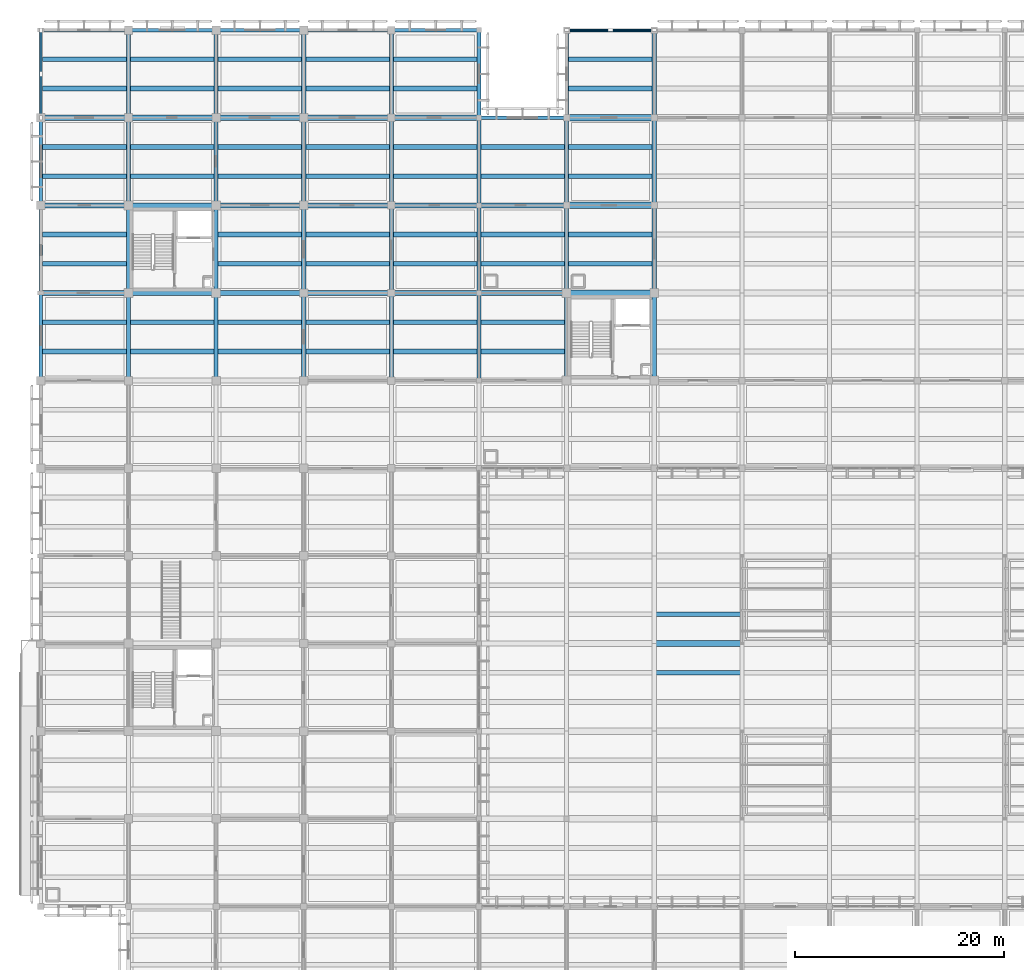
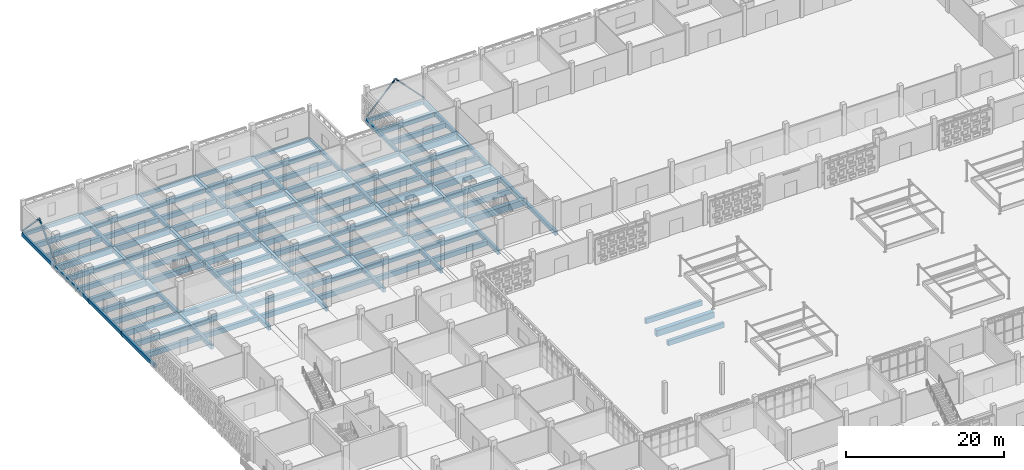
# One storey, part 23 of 129: 112 beams, 4 members.
"""IFC4 building model written with IfcOpenShell, lengths in metres."""

from ifc_helpers import new_model, si_unit, direction, frame, origin, origin_2d, place, context, subcontext, project, spatial, rectangle, hollow_rectangle, hollow_circle, extrude, material, material_profile, profile_set, type_object, element, save


model = new_model("IFC4")

# Units and contexts
model_context = context("Model", 3, precision=1e-05, world=origin(), true_north=direction((0.0, 1.0)))
body_context = subcontext(model_context, "Body", "Model", "MODEL_VIEW")
ifc_project = project(units=[si_unit("LENGTHUNIT", "METRE"), si_unit("AREAUNIT", "SQUARE_METRE"), si_unit("VOLUMEUNIT", "CUBIC_METRE"), si_unit("PLANEANGLEUNIT", "RADIAN"), si_unit("MASSUNIT", "GRAM", prefix="KILO")], contexts=[model_context])

# Site, building, storey
site_placement = place(None, origin())
site = spatial("IfcSite", under=ifc_project, at=site_placement, CompositionType="ELEMENT")
building_placement = place(site_placement, origin())
building = spatial("IfcBuilding", under=site, at=building_placement, Name="Varnapada Polytechnic", CompositionType="ELEMENT")
storey_placement = place(building_placement, origin())
storey = spatial("IfcBuildingStorey", under=building, at=storey_placement, Name="L00", CompositionType="ELEMENT", Elevation=0.0)

# Beams
ifc_material_1 = material(Name="Concrete C40/50", Category="concrete")
ifc_material_profile_1 = material_profile(ifc_material_1, rectangle(XDim=0.449951171875, YDim=0.75, at=origin_2d()), Name="RC 450x750")
ifc_profile_set_1 = profile_set([ifc_material_profile_1], Name="Concrete C40/50")
beam_type_1 = type_object("IfcBeamType", Name="Basement/podium secondary beam BB-01 (RC 450x750)", PredefinedType="BEAM", material=ifc_profile_set_1)
for number, where, z_axis, x_axis, name in (
    (1, (0.080078125, 95.199951171875, -0.675048828125), (1.0, 0.0, 0.0), (0.0, 1.0, 0.0), "L00 floor joist 1/12.1"),
    (2, (0.080078125, 98.0, -0.675048828125), (1.0, 0.0, 0.0), (0.0, 1.0, 0.0), "L00 floor joist 1/12.2"),
    (3, (0.080078125, 103.60009765625, -0.675048828125), (1.0, 0.0, 0.0), (0.0, 1.0, 0.0), "L00 floor joist 1/13.1"),
    (4, (0.080078125, 106.39990234375, -0.675048828125), (1.0, 0.0, 0.0), (0.0, 1.0, 0.0), "L00 floor joist 1/13.2"),
    (5, (0.080078125, 112.0, -0.675048828125), (1.0, 0.0, 0.0), (0.0, 1.0, 0.0), "L00 floor joist 1/14.1"),
    (6, (0.080078125, 114.800048828125, -0.675048828125), (1.0, 0.0, 0.0), (0.0, 1.0, 0.0), "L00 floor joist 1/14.2"),
    (7, (0.080078125, 120.39990234375, -0.675048828125), (1.0, 0.0, 0.0), (0.0, 1.0, 0.0), "L00 floor joist 1/15.1"),
    (8, (0.080078125, 123.199951171875, -0.675048828125), (1.0, 0.0, 0.0), (0.0, 1.0, 0.0), "L00 floor joist 1/15.2"),
    (9, (8.47998046875, 95.199951171875, -0.675048828125), (1.0, 0.0, 0.0), (0.0, 1.0, 0.0), "L00 floor joist 2/12.1"),
    (10, (8.47998046875, 98.0, -0.675048828125), (1.0, 0.0, 0.0), (0.0, 1.0, 0.0), "L00 floor joist 2/12.2"),
    (11, (8.47998046875, 112.0, -0.675048828125), (1.0, 0.0, 0.0), (0.0, 1.0, 0.0), "L00 floor joist 2/14.1"),
    (12, (8.47998046875, 114.800048828125, -0.675048828125), (1.0, 0.0, 0.0), (0.0, 1.0, 0.0), "L00 floor joist 2/14.2"),
    (13, (8.47998046875, 120.39990234375, -0.675048828125), (1.0, 0.0, 0.0), (0.0, 1.0, 0.0), "L00 floor joist 2/15.1"),
    (14, (8.47998046875, 123.199951171875, -0.675048828125), (1.0, 0.0, 0.0), (0.0, 1.0, 0.0), "L00 floor joist 2/15.2"),
):
    element("IfcBeam", number, at=place(storey_placement, frame(where, z_axis=z_axis, x_axis=x_axis)), inside=storey, type_object=beam_type_1, Name=name, PredefinedType="BEAM", context=body_context, shape_type="SweptSolid", body=[
        extrude(rectangle(XDim=0.449951171875, YDim=0.75, at=origin_2d()), origin(), (0.0, 0.0, 1.0), 8.239990234375),
    ])
for number, where, z_axis, x_axis, name in (
    (15, (16.8798828125, 95.199951171875, -0.675048828125), (1.0, 0.0, 0.0), (0.0, 1.0, 0.0), "L00 floor joist 3/12.1"),
    (16, (16.8798828125, 98.0, -0.675048828125), (1.0, 0.0, 0.0), (0.0, 1.0, 0.0), "L00 floor joist 3/12.2"),
    (17, (16.8798828125, 103.60009765625, -0.675048828125), (1.0, 0.0, 0.0), (0.0, 1.0, 0.0), "L00 floor joist 3/13.1"),
    (18, (16.8798828125, 106.39990234375, -0.675048828125), (1.0, 0.0, 0.0), (0.0, 1.0, 0.0), "L00 floor joist 3/13.2"),
    (19, (16.8798828125, 112.0, -0.675048828125), (1.0, 0.0, 0.0), (0.0, 1.0, 0.0), "L00 floor joist 3/14.1"),
    (20, (16.8798828125, 114.800048828125, -0.675048828125), (1.0, 0.0, 0.0), (0.0, 1.0, 0.0), "L00 floor joist 3/14.2"),
    (21, (16.8798828125, 120.39990234375, -0.675048828125), (1.0, 0.0, 0.0), (0.0, 1.0, 0.0), "L00 floor joist 3/15.1"),
    (22, (16.8798828125, 123.199951171875, -0.675048828125), (1.0, 0.0, 0.0), (0.0, 1.0, 0.0), "L00 floor joist 3/15.2"),
):
    element("IfcBeam", number, at=place(storey_placement, frame(where, z_axis=z_axis, x_axis=x_axis)), inside=storey, type_object=beam_type_1, Name=name, PredefinedType="BEAM", context=body_context, shape_type="SweptSolid", body=[
        extrude(rectangle(XDim=0.449951171875, YDim=0.75, at=origin_2d()), origin(), (0.0, 0.0, 1.0), 8.240234375),
    ])
for number, where, z_axis, x_axis, name in (
    (23, (25.280029296875, 95.199951171875, -0.675048828125), (1.0, 0.0, 0.0), (0.0, 1.0, 0.0), "L00 floor joist 4/12.1"),
    (24, (25.280029296875, 98.0, -0.675048828125), (1.0, 0.0, 0.0), (0.0, 1.0, 0.0), "L00 floor joist 4/12.2"),
    (25, (25.280029296875, 103.60009765625, -0.675048828125), (1.0, 0.0, 0.0), (0.0, 1.0, 0.0), "L00 floor joist 4/13.1"),
    (26, (25.280029296875, 106.39990234375, -0.675048828125), (1.0, 0.0, 0.0), (0.0, 1.0, 0.0), "L00 floor joist 4/13.2"),
    (27, (25.280029296875, 112.0, -0.675048828125), (1.0, 0.0, 0.0), (0.0, 1.0, 0.0), "L00 floor joist 4/14.1"),
    (28, (25.280029296875, 114.800048828125, -0.675048828125), (1.0, 0.0, 0.0), (0.0, 1.0, 0.0), "L00 floor joist 4/14.2"),
    (29, (25.280029296875, 120.39990234375, -0.675048828125), (1.0, 0.0, 0.0), (0.0, 1.0, 0.0), "L00 floor joist 4/15.1"),
    (30, (25.280029296875, 123.199951171875, -0.675048828125), (1.0, 0.0, 0.0), (0.0, 1.0, 0.0), "L00 floor joist 4/15.2"),
    (31, (33.679931640625, 95.199951171875, -0.675048828125), (1.0, 0.0, 0.0), (0.0, 1.0, 0.0), "L00 floor joist 5/12.1"),
    (32, (33.679931640625, 98.0, -0.675048828125), (1.0, 0.0, 0.0), (0.0, 1.0, 0.0), "L00 floor joist 5/12.2"),
    (33, (33.679931640625, 103.60009765625, -0.675048828125), (1.0, 0.0, 0.0), (0.0, 1.0, 0.0), "L00 floor joist 5/13.1"),
    (34, (33.679931640625, 106.39990234375, -0.675048828125), (1.0, 0.0, 0.0), (0.0, 1.0, 0.0), "L00 floor joist 5/13.2"),
    (35, (33.679931640625, 112.0, -0.675048828125), (1.0, 0.0, 0.0), (0.0, 1.0, 0.0), "L00 floor joist 5/14.1"),
    (36, (33.679931640625, 114.800048828125, -0.675048828125), (1.0, 0.0, 0.0), (0.0, 1.0, 0.0), "L00 floor joist 5/14.2"),
    (37, (33.679931640625, 120.39990234375, -0.675048828125), (1.0, 0.0, 0.0), (0.0, 1.0, 0.0), "L00 floor joist 5/15.1"),
    (38, (33.679931640625, 123.199951171875, -0.675048828125), (1.0, 0.0, 0.0), (0.0, 1.0, 0.0), "L00 floor joist 5/15.2"),
    (39, (42.080078125, 95.199951171875, -0.695068359375), (1.0, 0.0, 0.0), (0.0, 1.0, 0.0), "L00 floor joist 6/12.1"),
    (40, (42.080078125, 98.0, -0.695068359375), (1.0, 0.0, 0.0), (0.0, 1.0, 0.0), "L00 floor joist 6/12.2"),
    (41, (42.080078125, 103.60009765625, -0.695068359375), (1.0, 0.0, 0.0), (0.0, 1.0, 0.0), "L00 floor joist 6/13.1"),
    (42, (42.080078125, 106.39990234375, -0.695068359375), (1.0, 0.0, 0.0), (0.0, 1.0, 0.0), "L00 floor joist 6/13.2"),
    (43, (42.080078125, 112.0, -0.695068359375), (1.0, 0.0, 0.0), (0.0, 1.0, 0.0), "L00 floor joist 6/14.1"),
    (44, (42.080078125, 114.800048828125, -0.695068359375), (1.0, 0.0, 0.0), (0.0, 1.0, 0.0), "L00 floor joist 6/14.2"),
    (45, (50.47998046875, 103.60009765625, -0.695068359375), (1.0, 0.0, 0.0), (0.0, 1.0, 0.0), "L00 floor joist 7/13.1"),
    (46, (50.47998046875, 106.39990234375, -0.695068359375), (1.0, 0.0, 0.0), (0.0, 1.0, 0.0), "L00 floor joist 7/13.2"),
    (47, (50.47998046875, 112.0, -0.695068359375), (1.0, 0.0, 0.0), (0.0, 1.0, 0.0), "L00 floor joist 7/14.1"),
    (48, (50.47998046875, 114.800048828125, -0.695068359375), (1.0, 0.0, 0.0), (0.0, 1.0, 0.0), "L00 floor joist 7/14.2"),
    (49, (50.47998046875, 120.39990234375, -0.695068359375), (1.0, 0.0, 0.0), (0.0, 1.0, 0.0), "L00 floor joist 7/15.1"),
    (50, (50.47998046875, 123.199951171875, -0.695068359375), (1.0, 0.0, 0.0), (0.0, 1.0, 0.0), "L00 floor joist 7/15.2"),
):
    element("IfcBeam", number, at=place(storey_placement, frame(where, z_axis=z_axis, x_axis=x_axis)), inside=storey, type_object=beam_type_1, Name=name, PredefinedType="BEAM", context=body_context, shape_type="SweptSolid", body=[
        extrude(rectangle(XDim=0.449951171875, YDim=0.75, at=origin_2d()), origin(), (0.0, 0.0, 1.0), 8.239990234375),
    ])
for number, where, z_axis, x_axis, name in (
    (51, (58.8798828125, 64.39990234375, -0.655029296875), (1.0, 0.0, 0.0), (0.0, 1.0, 0.0), "L00 floor joist 8/8.2"),
    (52, (58.8798828125, 70.0, -0.655029296875), (1.0, 0.0, 0.0), (0.0, 1.0, 0.0), "L00 floor joist 8/9.1"),
):
    element("IfcBeam", number, at=place(storey_placement, frame(where, z_axis=z_axis, x_axis=x_axis)), inside=storey, type_object=beam_type_1, Name=name, PredefinedType="BEAM", context=body_context, shape_type="SweptSolid", body=[
        extrude(rectangle(XDim=0.449951171875, YDim=0.75, at=origin_2d()), origin(), (0.0, 0.0, 1.0), 8.240234375),
    ])
ifc_material_profile_2 = material_profile(ifc_material_1, rectangle(XDim=0.35009765625, YDim=0.550048828125, at=origin_2d()), Name="RC 350x550")
ifc_profile_set_2 = profile_set([ifc_material_profile_2], Name="Concrete C40/50")
beam_type_2 = type_object("IfcBeamType", Name="Concrete podium spandrel beam SP-01 (RC 350x550)", PredefinedType="SPANDREL", material=ifc_profile_set_2)
beam_1_placement = place(storey_placement, frame((0.0, 126.0, -0.574951171875), z_axis=(1.0, 0.0, 0.0), x_axis=(0.0, 1.0, 0.0)))
element("IfcBeam", 53, at=beam_1_placement, inside=storey, type_object=beam_type_2, Name="L00 beam X 1-2 at Y16", PredefinedType="SPANDREL", context=body_context, shape_type="SweptSolid", body=[
    extrude(rectangle(XDim=0.35009765625, YDim=0.550048828125, at=origin_2d()), origin(), (0.0, 0.0, 1.0), 8.39990234375),
])
beam_2_placement = place(storey_placement, frame((8.39990234375, 126.0, -0.574951171875), z_axis=(1.0, 0.0, 0.0), x_axis=(0.0, 1.0, 0.0)))
element("IfcBeam", 54, at=beam_2_placement, inside=storey, type_object=beam_type_2, Name="L00 beam X 2-3 at Y16", PredefinedType="SPANDREL", context=body_context, shape_type="SweptSolid", body=[
    extrude(rectangle(XDim=0.35009765625, YDim=0.550048828125, at=origin_2d()), origin(), (0.0, 0.0, 1.0), 8.400146484375),
])
beam_3_placement = place(storey_placement, frame((16.800048828125, 126.0, -0.574951171875), z_axis=(1.0, 0.0, 0.0), x_axis=(0.0, 1.0, 0.0)))
element("IfcBeam", 55, at=beam_3_placement, inside=storey, type_object=beam_type_2, Name="L00 beam X 3-4 at Y16", PredefinedType="SPANDREL", context=body_context, shape_type="SweptSolid", body=[
    extrude(rectangle(XDim=0.35009765625, YDim=0.550048828125, at=origin_2d()), origin(), (0.0, 0.0, 1.0), 8.39990234375),
])
beam_4_placement = place(storey_placement, frame((25.199951171875, 126.0, -0.574951171875), z_axis=(1.0, 0.0, 0.0), x_axis=(0.0, 1.0, 0.0)))
element("IfcBeam", 56, at=beam_4_placement, inside=storey, type_object=beam_type_2, Name="L00 beam X 4-5 at Y16", PredefinedType="SPANDREL", context=body_context, shape_type="SweptSolid", body=[
    extrude(rectangle(XDim=0.35009765625, YDim=0.550048828125, at=origin_2d()), origin(), (0.0, 0.0, 1.0), 8.400146484375),
])
for number, where, z_axis, x_axis, name in (
    (57, (33.60009765625, 126.0, -0.574951171875), (1.0, 0.0, 0.0), (0.0, 1.0, 0.0), "L00 beam X 5-6 at Y16"),
    (58, (42.0, 117.60009765625, -0.594970703125), (1.0, 0.0, 0.0), (0.0, 1.0, 0.0), "L00 beam X 6-7 at Y15"),
):
    element("IfcBeam", number, at=place(storey_placement, frame(where, z_axis=z_axis, x_axis=x_axis)), inside=storey, type_object=beam_type_2, Name=name, PredefinedType="SPANDREL", context=body_context, shape_type="SweptSolid", body=[
        extrude(rectangle(XDim=0.35009765625, YDim=0.550048828125, at=origin_2d()), origin(), (0.0, 0.0, 1.0), 8.39990234375),
    ])
for number, where, z_axis, x_axis, name in (
    (59, (50.39990234375, 126.0, -0.594970703125), (1.0, 0.0, 0.0), (0.0, 1.0, 0.0), "L00 beam X 7-8 at Y16"),
    (60, (0.0, 92.39990234375, -0.574951171875), (0.0, 1.0, 0.0), (-1.0, 0.0, 0.0), "L00 beam Y 12-13 at X1"),
):
    element("IfcBeam", number, at=place(storey_placement, frame(where, z_axis=z_axis, x_axis=x_axis)), inside=storey, type_object=beam_type_2, Name=name, PredefinedType="SPANDREL", context=body_context, shape_type="SweptSolid", body=[
        extrude(rectangle(XDim=0.35009765625, YDim=0.550048828125, at=origin_2d()), origin(), (0.0, 0.0, 1.0), 8.400146484375),
    ])
beam_5_placement = place(storey_placement, frame((0.0, 100.800048828125, -0.574951171875), z_axis=(0.0, 1.0, 0.0), x_axis=(-1.0, 0.0, 0.0)))
element("IfcBeam", 61, at=beam_5_placement, inside=storey, type_object=beam_type_2, Name="L00 beam Y 13-14 at X1", PredefinedType="SPANDREL", context=body_context, shape_type="SweptSolid", body=[
    extrude(rectangle(XDim=0.35009765625, YDim=0.550048828125, at=origin_2d()), origin(), (0.0, 0.0, 1.0), 8.39990234375),
])
beam_6_placement = place(storey_placement, frame((0.0, 109.199951171875, -0.574951171875), z_axis=(0.0, 1.0, 0.0), x_axis=(-1.0, 0.0, 0.0)))
element("IfcBeam", 62, at=beam_6_placement, inside=storey, type_object=beam_type_2, Name="L00 beam Y 14-15 at X1", PredefinedType="SPANDREL", context=body_context, shape_type="SweptSolid", body=[
    extrude(rectangle(XDim=0.35009765625, YDim=0.550048828125, at=origin_2d()), origin(), (0.0, 0.0, 1.0), 8.400146484375),
])
for number, where, z_axis, x_axis, name in (
    (63, (0.0, 117.60009765625, -0.574951171875), (0.0, 1.0, 0.0), (-1.0, 0.0, 0.0), "L00 beam Y 15-16 at X1"),
    (64, (42.0, 117.60009765625, -0.574951171875), (0.0, 1.0, 0.0), (-1.0, 0.0, 0.0), "L00 beam Y 15-16 at X6"),
    (65, (50.39990234375, 117.60009765625, -0.594970703125), (0.0, 1.0, 0.0), (-1.0, 0.0, 0.0), "L00 beam Y 15-16 at X7"),
):
    element("IfcBeam", number, at=place(storey_placement, frame(where, z_axis=z_axis, x_axis=x_axis)), inside=storey, type_object=beam_type_2, Name=name, PredefinedType="SPANDREL", context=body_context, shape_type="SweptSolid", body=[
        extrude(rectangle(XDim=0.35009765625, YDim=0.550048828125, at=origin_2d()), origin(), (0.0, 0.0, 1.0), 8.39990234375),
    ])
ifc_material_profile_3 = material_profile(ifc_material_1, rectangle(XDim=0.39990234375, YDim=0.64990234375, at=origin_2d()), Name="RC 400x650")
ifc_profile_set_3 = profile_set([ifc_material_profile_3], Name="Concrete C40/50")
beam_type_3 = type_object("IfcBeamType", Name="Podium framing beam BB-02 (RC 400x650)", PredefinedType="BEAM", material=ifc_profile_set_3)
beam_7_placement = place(storey_placement, frame((8.39990234375, 92.39990234375, -0.625), z_axis=(0.0, 1.0, 0.0), x_axis=(-1.0, 0.0, 0.0)))
element("IfcBeam", 66, at=beam_7_placement, inside=storey, type_object=beam_type_3, Name="L00 beam Y 12-13 at X2", PredefinedType="BEAM", context=body_context, shape_type="SweptSolid", body=[
    extrude(rectangle(XDim=0.39990234375, YDim=0.64990234375, at=origin_2d()), origin(), (0.0, 0.0, 1.0), 8.400146484375),
])
beam_8_placement = place(storey_placement, frame((8.39990234375, 100.800048828125, -0.625), z_axis=(0.0, 1.0, 0.0), x_axis=(-1.0, 0.0, 0.0)))
element("IfcBeam", 67, at=beam_8_placement, inside=storey, type_object=beam_type_3, Name="L00 beam Y 13-14 at X2", PredefinedType="BEAM", context=body_context, shape_type="SweptSolid", body=[
    extrude(rectangle(XDim=0.39990234375, YDim=0.64990234375, at=origin_2d()), origin(), (0.0, 0.0, 1.0), 8.39990234375),
])
beam_9_placement = place(storey_placement, frame((8.39990234375, 109.199951171875, -0.625), z_axis=(0.0, 1.0, 0.0), x_axis=(-1.0, 0.0, 0.0)))
element("IfcBeam", 68, at=beam_9_placement, inside=storey, type_object=beam_type_3, Name="L00 beam Y 14-15 at X2", PredefinedType="BEAM", context=body_context, shape_type="SweptSolid", body=[
    extrude(rectangle(XDim=0.39990234375, YDim=0.64990234375, at=origin_2d()), origin(), (0.0, 0.0, 1.0), 8.400146484375),
])
beam_10_placement = place(storey_placement, frame((8.39990234375, 117.60009765625, -0.625), z_axis=(0.0, 1.0, 0.0), x_axis=(-1.0, 0.0, 0.0)))
element("IfcBeam", 69, at=beam_10_placement, inside=storey, type_object=beam_type_3, Name="L00 beam Y 15-16 at X2", PredefinedType="BEAM", context=body_context, shape_type="SweptSolid", body=[
    extrude(rectangle(XDim=0.39990234375, YDim=0.64990234375, at=origin_2d()), origin(), (0.0, 0.0, 1.0), 8.39990234375),
])
beam_11_placement = place(storey_placement, frame((16.800048828125, 92.39990234375, -0.625), z_axis=(0.0, 1.0, 0.0), x_axis=(-1.0, 0.0, 0.0)))
element("IfcBeam", 70, at=beam_11_placement, inside=storey, type_object=beam_type_3, Name="L00 beam Y 12-13 at X3", PredefinedType="BEAM", context=body_context, shape_type="SweptSolid", body=[
    extrude(rectangle(XDim=0.39990234375, YDim=0.64990234375, at=origin_2d()), origin(), (0.0, 0.0, 1.0), 8.400146484375),
])
beam_12_placement = place(storey_placement, frame((16.800048828125, 100.800048828125, -0.625), z_axis=(0.0, 1.0, 0.0), x_axis=(-1.0, 0.0, 0.0)))
element("IfcBeam", 71, at=beam_12_placement, inside=storey, type_object=beam_type_3, Name="L00 beam Y 13-14 at X3", PredefinedType="BEAM", context=body_context, shape_type="SweptSolid", body=[
    extrude(rectangle(XDim=0.39990234375, YDim=0.64990234375, at=origin_2d()), origin(), (0.0, 0.0, 1.0), 8.39990234375),
])
beam_13_placement = place(storey_placement, frame((16.800048828125, 109.199951171875, -0.625), z_axis=(0.0, 1.0, 0.0), x_axis=(-1.0, 0.0, 0.0)))
element("IfcBeam", 72, at=beam_13_placement, inside=storey, type_object=beam_type_3, Name="L00 beam Y 14-15 at X3", PredefinedType="BEAM", context=body_context, shape_type="SweptSolid", body=[
    extrude(rectangle(XDim=0.39990234375, YDim=0.64990234375, at=origin_2d()), origin(), (0.0, 0.0, 1.0), 8.400146484375),
])
beam_14_placement = place(storey_placement, frame((16.800048828125, 117.60009765625, -0.625), z_axis=(0.0, 1.0, 0.0), x_axis=(-1.0, 0.0, 0.0)))
element("IfcBeam", 73, at=beam_14_placement, inside=storey, type_object=beam_type_3, Name="L00 beam Y 15-16 at X3", PredefinedType="BEAM", context=body_context, shape_type="SweptSolid", body=[
    extrude(rectangle(XDim=0.39990234375, YDim=0.64990234375, at=origin_2d()), origin(), (0.0, 0.0, 1.0), 8.39990234375),
])
beam_15_placement = place(storey_placement, frame((25.199951171875, 92.39990234375, -0.625), z_axis=(0.0, 1.0, 0.0), x_axis=(-1.0, 0.0, 0.0)))
element("IfcBeam", 74, at=beam_15_placement, inside=storey, type_object=beam_type_3, Name="L00 beam Y 12-13 at X4", PredefinedType="BEAM", context=body_context, shape_type="SweptSolid", body=[
    extrude(rectangle(XDim=0.39990234375, YDim=0.64990234375, at=origin_2d()), origin(), (0.0, 0.0, 1.0), 8.400146484375),
])
beam_16_placement = place(storey_placement, frame((25.199951171875, 100.800048828125, -0.625), z_axis=(0.0, 1.0, 0.0), x_axis=(-1.0, 0.0, 0.0)))
element("IfcBeam", 75, at=beam_16_placement, inside=storey, type_object=beam_type_3, Name="L00 beam Y 13-14 at X4", PredefinedType="BEAM", context=body_context, shape_type="SweptSolid", body=[
    extrude(rectangle(XDim=0.39990234375, YDim=0.64990234375, at=origin_2d()), origin(), (0.0, 0.0, 1.0), 8.39990234375),
])
beam_17_placement = place(storey_placement, frame((25.199951171875, 109.199951171875, -0.625), z_axis=(0.0, 1.0, 0.0), x_axis=(-1.0, 0.0, 0.0)))
element("IfcBeam", 76, at=beam_17_placement, inside=storey, type_object=beam_type_3, Name="L00 beam Y 14-15 at X4", PredefinedType="BEAM", context=body_context, shape_type="SweptSolid", body=[
    extrude(rectangle(XDim=0.39990234375, YDim=0.64990234375, at=origin_2d()), origin(), (0.0, 0.0, 1.0), 8.400146484375),
])
beam_18_placement = place(storey_placement, frame((25.199951171875, 117.60009765625, -0.625), z_axis=(0.0, 1.0, 0.0), x_axis=(-1.0, 0.0, 0.0)))
element("IfcBeam", 77, at=beam_18_placement, inside=storey, type_object=beam_type_3, Name="L00 beam Y 15-16 at X4", PredefinedType="BEAM", context=body_context, shape_type="SweptSolid", body=[
    extrude(rectangle(XDim=0.39990234375, YDim=0.64990234375, at=origin_2d()), origin(), (0.0, 0.0, 1.0), 8.39990234375),
])
beam_19_placement = place(storey_placement, frame((33.60009765625, 92.39990234375, -0.625), z_axis=(0.0, 1.0, 0.0), x_axis=(-1.0, 0.0, 0.0)))
element("IfcBeam", 78, at=beam_19_placement, inside=storey, type_object=beam_type_3, Name="L00 beam Y 12-13 at X5", PredefinedType="BEAM", context=body_context, shape_type="SweptSolid", body=[
    extrude(rectangle(XDim=0.39990234375, YDim=0.64990234375, at=origin_2d()), origin(), (0.0, 0.0, 1.0), 8.400146484375),
])
beam_20_placement = place(storey_placement, frame((33.60009765625, 100.800048828125, -0.625), z_axis=(0.0, 1.0, 0.0), x_axis=(-1.0, 0.0, 0.0)))
element("IfcBeam", 79, at=beam_20_placement, inside=storey, type_object=beam_type_3, Name="L00 beam Y 13-14 at X5", PredefinedType="BEAM", context=body_context, shape_type="SweptSolid", body=[
    extrude(rectangle(XDim=0.39990234375, YDim=0.64990234375, at=origin_2d()), origin(), (0.0, 0.0, 1.0), 8.39990234375),
])
beam_21_placement = place(storey_placement, frame((33.60009765625, 109.199951171875, -0.625), z_axis=(0.0, 1.0, 0.0), x_axis=(-1.0, 0.0, 0.0)))
element("IfcBeam", 80, at=beam_21_placement, inside=storey, type_object=beam_type_3, Name="L00 beam Y 14-15 at X5", PredefinedType="BEAM", context=body_context, shape_type="SweptSolid", body=[
    extrude(rectangle(XDim=0.39990234375, YDim=0.64990234375, at=origin_2d()), origin(), (0.0, 0.0, 1.0), 8.400146484375),
])
beam_22_placement = place(storey_placement, frame((33.60009765625, 117.60009765625, -0.625), z_axis=(0.0, 1.0, 0.0), x_axis=(-1.0, 0.0, 0.0)))
element("IfcBeam", 81, at=beam_22_placement, inside=storey, type_object=beam_type_3, Name="L00 beam Y 15-16 at X5", PredefinedType="BEAM", context=body_context, shape_type="SweptSolid", body=[
    extrude(rectangle(XDim=0.39990234375, YDim=0.64990234375, at=origin_2d()), origin(), (0.0, 0.0, 1.0), 8.39990234375),
])
beam_23_placement = place(storey_placement, frame((42.0, 92.39990234375, -0.625), z_axis=(0.0, 1.0, 0.0), x_axis=(-1.0, 0.0, 0.0)))
element("IfcBeam", 82, at=beam_23_placement, inside=storey, type_object=beam_type_3, Name="L00 beam Y 12-13 at X6", PredefinedType="BEAM", context=body_context, shape_type="SweptSolid", body=[
    extrude(rectangle(XDim=0.39990234375, YDim=0.64990234375, at=origin_2d()), origin(), (0.0, 0.0, 1.0), 8.400146484375),
])
beam_24_placement = place(storey_placement, frame((42.0, 100.800048828125, -0.625), z_axis=(0.0, 1.0, 0.0), x_axis=(-1.0, 0.0, 0.0)))
element("IfcBeam", 83, at=beam_24_placement, inside=storey, type_object=beam_type_3, Name="L00 beam Y 13-14 at X6", PredefinedType="BEAM", context=body_context, shape_type="SweptSolid", body=[
    extrude(rectangle(XDim=0.39990234375, YDim=0.64990234375, at=origin_2d()), origin(), (0.0, 0.0, 1.0), 8.39990234375),
])
for number, where, z_axis, x_axis, name in (
    (84, (42.0, 109.199951171875, -0.625), (0.0, 1.0, 0.0), (-1.0, 0.0, 0.0), "L00 beam Y 14-15 at X6"),
    (85, (50.39990234375, 92.39990234375, -0.64501953125), (0.0, 1.0, 0.0), (-1.0, 0.0, 0.0), "L00 beam Y 12-13 at X7"),
):
    element("IfcBeam", number, at=place(storey_placement, frame(where, z_axis=z_axis, x_axis=x_axis)), inside=storey, type_object=beam_type_3, Name=name, PredefinedType="BEAM", context=body_context, shape_type="SweptSolid", body=[
        extrude(rectangle(XDim=0.39990234375, YDim=0.64990234375, at=origin_2d()), origin(), (0.0, 0.0, 1.0), 8.400146484375),
    ])
beam_25_placement = place(storey_placement, frame((50.39990234375, 100.800048828125, -0.64501953125), z_axis=(0.0, 1.0, 0.0), x_axis=(-1.0, 0.0, 0.0)))
element("IfcBeam", 86, at=beam_25_placement, inside=storey, type_object=beam_type_3, Name="L00 beam Y 13-14 at X7", PredefinedType="BEAM", context=body_context, shape_type="SweptSolid", body=[
    extrude(rectangle(XDim=0.39990234375, YDim=0.64990234375, at=origin_2d()), origin(), (0.0, 0.0, 1.0), 8.39990234375),
])
for number, where, z_axis, x_axis, name in (
    (87, (50.39990234375, 109.199951171875, -0.64501953125), (0.0, 1.0, 0.0), (-1.0, 0.0, 0.0), "L00 beam Y 14-15 at X7"),
    (88, (58.800048828125, 92.39990234375, -0.64501953125), (0.0, 1.0, 0.0), (-1.0, 0.0, 0.0), "L00 beam Y 12-13 at X8"),
):
    element("IfcBeam", number, at=place(storey_placement, frame(where, z_axis=z_axis, x_axis=x_axis)), inside=storey, type_object=beam_type_3, Name=name, PredefinedType="BEAM", context=body_context, shape_type="SweptSolid", body=[
        extrude(rectangle(XDim=0.39990234375, YDim=0.64990234375, at=origin_2d()), origin(), (0.0, 0.0, 1.0), 8.400146484375),
    ])
beam_26_placement = place(storey_placement, frame((58.800048828125, 100.800048828125, -0.64501953125), z_axis=(0.0, 1.0, 0.0), x_axis=(-1.0, 0.0, 0.0)))
element("IfcBeam", 89, at=beam_26_placement, inside=storey, type_object=beam_type_3, Name="L00 beam Y 13-14 at X8", PredefinedType="BEAM", context=body_context, shape_type="SweptSolid", body=[
    extrude(rectangle(XDim=0.39990234375, YDim=0.64990234375, at=origin_2d()), origin(), (0.0, 0.0, 1.0), 8.39990234375),
])
beam_27_placement = place(storey_placement, frame((58.800048828125, 109.199951171875, -0.64501953125), z_axis=(0.0, 1.0, 0.0), x_axis=(-1.0, 0.0, 0.0)))
element("IfcBeam", 90, at=beam_27_placement, inside=storey, type_object=beam_type_3, Name="L00 beam Y 14-15 at X8", PredefinedType="BEAM", context=body_context, shape_type="SweptSolid", body=[
    extrude(rectangle(XDim=0.39990234375, YDim=0.64990234375, at=origin_2d()), origin(), (0.0, 0.0, 1.0), 8.400146484375),
])
beam_28_placement = place(storey_placement, frame((58.800048828125, 117.60009765625, -0.64501953125), z_axis=(0.0, 1.0, 0.0), x_axis=(-1.0, 0.0, 0.0)))
element("IfcBeam", 91, at=beam_28_placement, inside=storey, type_object=beam_type_3, Name="L00 beam Y 15-16 at X8", PredefinedType="BEAM", context=body_context, shape_type="SweptSolid", body=[
    extrude(rectangle(XDim=0.39990234375, YDim=0.64990234375, at=origin_2d()), origin(), (0.0, 0.0, 1.0), 8.39990234375),
])

# Members
ifc_material_2 = material(Name="Steel S355", Category="steel")
ifc_material_profile_4 = material_profile(ifc_material_2, hollow_rectangle(XDim=0.199951171875, YDim=0.199951171875, WallThickness=0.008056640625, InnerFilletRadius=0.008056640625, OuterFilletRadius=0.01611328125, at=origin_2d()), Name="SHS 200x200x8")
ifc_profile_set_4 = profile_set([ifc_material_profile_4], Name="Steel S355")
member_type_1 = type_object("IfcMemberType", Name="Podium lateral chevron brace BR-02 (SHS 200x200x8)", PredefinedType="BRACE", material=ifc_profile_set_4)
for number, where, z_axis, x_axis, name in (
    (92, (0.0, 117.60009765625, 0.0), (0.0, 0.690479565127, 0.723351899245), (-1.0, 0.0, 0.0), "L00 lateral chevron brace 7A"),
    (93, (0.0, 126.0, 0.0), (0.0, -0.690479565127, 0.723351899245), (1.0, 0.0, 0.0), "L00 lateral chevron brace 7B"),
):
    element("IfcMember", number, at=place(storey_placement, frame(where, z_axis=z_axis, x_axis=x_axis)), inside=storey, type_object=member_type_1, Name=name, PredefinedType="BRACE", context=body_context, shape_type="SweptSolid", body=[
        extrude(hollow_rectangle(XDim=0.199951171875, YDim=0.199951171875, WallThickness=0.008056640625, InnerFilletRadius=0.008056640625, OuterFilletRadius=0.01611328125, at=origin_2d()), origin(), (0.0, 0.0, 1.0), 6.082763671875),
    ])

# Beams
ifc_material_profile_5 = material_profile(ifc_material_1, rectangle(XDim=0.5, YDim=0.85009765625, at=origin_2d()), Name="RC 500x850")
ifc_profile_set_5 = profile_set([ifc_material_profile_5], Name="Concrete C40/50")
beam_type_4 = type_object("IfcBeamType", Name="Standard podium primary girder BG-02 (RC 500x850)", PredefinedType="T_BEAM", material=ifc_profile_set_5)
for number, where, z_axis, x_axis, name in (
    (94, (0.0, 100.800048828125, -0.72509765625), (1.0, 0.0, 0.0), (0.0, 1.0, 0.0), "L00 beam X 1-2 at Y13"),
    (95, (0.0, 109.199951171875, -0.72509765625), (1.0, 0.0, 0.0), (0.0, 1.0, 0.0), "L00 beam X 1-2 at Y14"),
    (96, (0.0, 117.60009765625, -0.72509765625), (1.0, 0.0, 0.0), (0.0, 1.0, 0.0), "L00 beam X 1-2 at Y15"),
):
    element("IfcBeam", number, at=place(storey_placement, frame(where, z_axis=z_axis, x_axis=x_axis)), inside=storey, type_object=beam_type_4, Name=name, PredefinedType="T_BEAM", context=body_context, shape_type="SweptSolid", body=[
        extrude(rectangle(XDim=0.5, YDim=0.85009765625, at=origin_2d()), origin(), (0.0, 0.0, 1.0), 8.39990234375),
    ])
for number, where, z_axis, x_axis, name in (
    (97, (8.39990234375, 100.800048828125, -0.72509765625), (1.0, 0.0, 0.0), (0.0, 1.0, 0.0), "L00 beam X 2-3 at Y13"),
    (98, (8.39990234375, 109.199951171875, -0.72509765625), (1.0, 0.0, 0.0), (0.0, 1.0, 0.0), "L00 beam X 2-3 at Y14"),
    (99, (8.39990234375, 117.60009765625, -0.72509765625), (1.0, 0.0, 0.0), (0.0, 1.0, 0.0), "L00 beam X 2-3 at Y15"),
):
    element("IfcBeam", number, at=place(storey_placement, frame(where, z_axis=z_axis, x_axis=x_axis)), inside=storey, type_object=beam_type_4, Name=name, PredefinedType="T_BEAM", context=body_context, shape_type="SweptSolid", body=[
        extrude(rectangle(XDim=0.5, YDim=0.85009765625, at=origin_2d()), origin(), (0.0, 0.0, 1.0), 8.400146484375),
    ])
for number, where, z_axis, x_axis, name in (
    (100, (16.800048828125, 100.800048828125, -0.72509765625), (1.0, 0.0, 0.0), (0.0, 1.0, 0.0), "L00 beam X 3-4 at Y13"),
    (101, (16.800048828125, 109.199951171875, -0.72509765625), (1.0, 0.0, 0.0), (0.0, 1.0, 0.0), "L00 beam X 3-4 at Y14"),
    (102, (16.800048828125, 117.60009765625, -0.72509765625), (1.0, 0.0, 0.0), (0.0, 1.0, 0.0), "L00 beam X 3-4 at Y15"),
):
    element("IfcBeam", number, at=place(storey_placement, frame(where, z_axis=z_axis, x_axis=x_axis)), inside=storey, type_object=beam_type_4, Name=name, PredefinedType="T_BEAM", context=body_context, shape_type="SweptSolid", body=[
        extrude(rectangle(XDim=0.5, YDim=0.85009765625, at=origin_2d()), origin(), (0.0, 0.0, 1.0), 8.39990234375),
    ])
for number, where, z_axis, x_axis, name in (
    (103, (25.199951171875, 100.800048828125, -0.72509765625), (1.0, 0.0, 0.0), (0.0, 1.0, 0.0), "L00 beam X 4-5 at Y13"),
    (104, (25.199951171875, 109.199951171875, -0.72509765625), (1.0, 0.0, 0.0), (0.0, 1.0, 0.0), "L00 beam X 4-5 at Y14"),
    (105, (25.199951171875, 117.60009765625, -0.72509765625), (1.0, 0.0, 0.0), (0.0, 1.0, 0.0), "L00 beam X 4-5 at Y15"),
):
    element("IfcBeam", number, at=place(storey_placement, frame(where, z_axis=z_axis, x_axis=x_axis)), inside=storey, type_object=beam_type_4, Name=name, PredefinedType="T_BEAM", context=body_context, shape_type="SweptSolid", body=[
        extrude(rectangle(XDim=0.5, YDim=0.85009765625, at=origin_2d()), origin(), (0.0, 0.0, 1.0), 8.400146484375),
    ])
for number, where, z_axis, x_axis, name in (
    (106, (33.60009765625, 100.800048828125, -0.72509765625), (1.0, 0.0, 0.0), (0.0, 1.0, 0.0), "L00 beam X 5-6 at Y13"),
    (107, (33.60009765625, 109.199951171875, -0.72509765625), (1.0, 0.0, 0.0), (0.0, 1.0, 0.0), "L00 beam X 5-6 at Y14"),
    (108, (33.60009765625, 117.60009765625, -0.72509765625), (1.0, 0.0, 0.0), (0.0, 1.0, 0.0), "L00 beam X 5-6 at Y15"),
    (109, (42.0, 100.800048828125, -0.7451171875), (1.0, 0.0, 0.0), (0.0, 1.0, 0.0), "L00 beam X 6-7 at Y13"),
    (110, (42.0, 109.199951171875, -0.7451171875), (1.0, 0.0, 0.0), (0.0, 1.0, 0.0), "L00 beam X 6-7 at Y14"),
):
    element("IfcBeam", number, at=place(storey_placement, frame(where, z_axis=z_axis, x_axis=x_axis)), inside=storey, type_object=beam_type_4, Name=name, PredefinedType="T_BEAM", context=body_context, shape_type="SweptSolid", body=[
        extrude(rectangle(XDim=0.5, YDim=0.85009765625, at=origin_2d()), origin(), (0.0, 0.0, 1.0), 8.39990234375),
    ])

# Members
ifc_material_profile_6 = material_profile(ifc_material_2, hollow_circle(Radius=0.109619140625, WallThickness=0.008056640625, at=origin_2d()), Name="CHS 219.1x8.0")
ifc_profile_set_6 = profile_set([ifc_material_profile_6], Name="Steel S355")
member_type_2 = type_object("IfcMemberType", Name="Workshop hall lateral K/X wall brace BR-01 (CHS 219.1x8.0)", PredefinedType="BRACE", material=ifc_profile_set_6)
for number, where, z_axis, x_axis, name in (
    (111, (50.39990234375, 126.0, 0.0), (0.69050056554, 0.0, 0.723331852602), (0.0, 1.0, 0.0), "L00 lateral chevron brace 1A"),
    (112, (58.800048828125, 126.0, 0.0), (-0.690479565127, 0.0, 0.723351899245), (0.0, -1.0, 0.0), "L00 lateral chevron brace 1B"),
):
    element("IfcMember", number, at=place(storey_placement, frame(where, z_axis=z_axis, x_axis=x_axis)), inside=storey, type_object=member_type_2, Name=name, PredefinedType="BRACE", context=body_context, shape_type="SweptSolid", body=[
        extrude(hollow_circle(Radius=0.109619140625, WallThickness=0.008056640625, at=origin_2d()), origin(), (0.0, 0.0, 1.0), 6.082763671875),
    ])

# Beams
ifc_material_profile_7 = material_profile(ifc_material_1, rectangle(XDim=0.60009765625, YDim=0.949951171875, at=origin_2d()), Name="RC 600x950")
ifc_profile_set_7 = profile_set([ifc_material_profile_7], Name="Concrete C40/50")
beam_type_5 = type_object("IfcBeamType", Name="Workshop podium heavy girder BG-03 (RC 600x950)", PredefinedType="T_BEAM", material=ifc_profile_set_7)
for number, where, z_axis, x_axis, name in (
    (113, (50.39990234375, 100.800048828125, -0.794921875), (1.0, 0.0, 0.0), (0.0, 1.0, 0.0), "L00 beam X 7-8 at Y13"),
    (114, (50.39990234375, 109.199951171875, -0.794921875), (1.0, 0.0, 0.0), (0.0, 1.0, 0.0), "L00 beam X 7-8 at Y14"),
    (115, (50.39990234375, 117.60009765625, -0.794921875), (1.0, 0.0, 0.0), (0.0, 1.0, 0.0), "L00 beam X 7-8 at Y15"),
):
    element("IfcBeam", number, at=place(storey_placement, frame(where, z_axis=z_axis, x_axis=x_axis)), inside=storey, type_object=beam_type_5, Name=name, PredefinedType="T_BEAM", context=body_context, shape_type="SweptSolid", body=[
        extrude(rectangle(XDim=0.60009765625, YDim=0.949951171875, at=origin_2d()), origin(), (0.0, 0.0, 1.0), 8.400146484375),
    ])
beam_29_placement = place(storey_placement, frame((58.800048828125, 67.199951171875, -0.7548828125), z_axis=(1.0, 0.0, 0.0), x_axis=(0.0, 1.0, 0.0)))
element("IfcBeam", 116, at=beam_29_placement, inside=storey, type_object=beam_type_5, Name="L00 beam X 8-9 at Y9", PredefinedType="T_BEAM", context=body_context, shape_type="SweptSolid", body=[
    extrude(rectangle(XDim=0.60009765625, YDim=0.949951171875, at=origin_2d()), origin(), (0.0, 0.0, 1.0), 8.39990234375),
])

save(model, "model.ifc")
